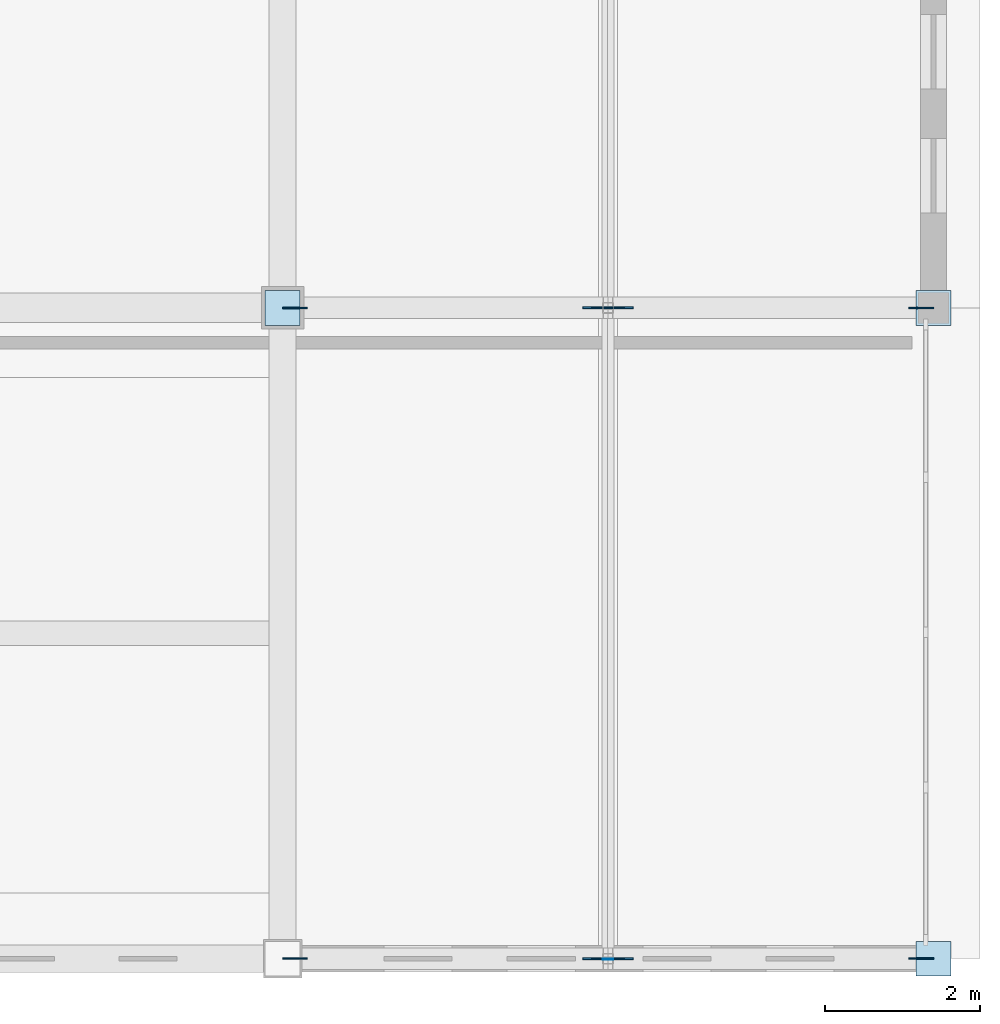
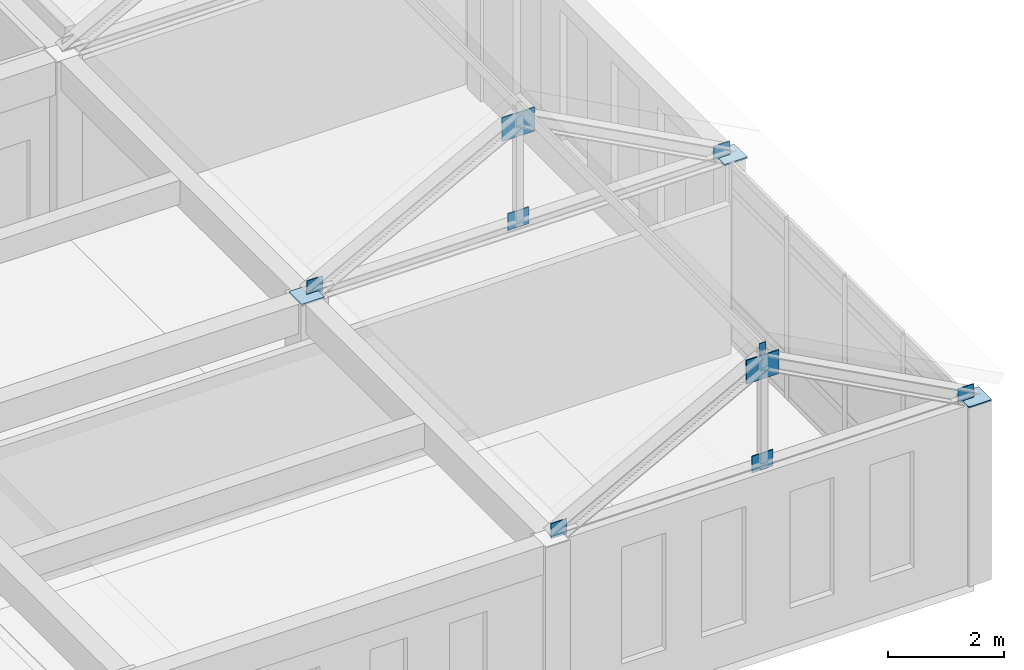
# One storey, part 23 of 36: 12 plates.
"""IFC4 building model written with IfcOpenShell, lengths in metres."""

from ifc_helpers import new_model, si_unit, direction, frame, origin, origin_2d, place, context, subcontext, project, spatial, rectangle, extrude, material, layer, layer_set, type_object, element, save


model = new_model("IFC4")

# Units and contexts
model_context = context("Model", 3, precision=1e-05, world=origin(), true_north=direction((0.0, 1.0)))
body_context = subcontext(model_context, "Body", "Model", "MODEL_VIEW")
ifc_project = project(units=[si_unit("LENGTHUNIT", "METRE"), si_unit("AREAUNIT", "SQUARE_METRE"), si_unit("VOLUMEUNIT", "CUBIC_METRE"), si_unit("PLANEANGLEUNIT", "RADIAN"), si_unit("MASSUNIT", "GRAM", prefix="KILO")], contexts=[model_context])

# Site, building, storey
site_placement = place(None, origin())
site = spatial("IfcSite", under=ifc_project, at=site_placement, CompositionType="ELEMENT")
building_placement = place(site_placement, origin())
building = spatial("IfcBuilding", under=site, at=building_placement, Name="Kveldsbrygga Polytechnic", CompositionType="ELEMENT")
storey_placement = place(building_placement, frame((0.0, 0.0, 22.10009765625)))
storey = spatial("IfcBuildingStorey", under=building, at=storey_placement, Name="L05", CompositionType="ELEMENT", Elevation=22.10009765625)

# Plates
ifc_material = material(Name="Steel S355", Category="steel")
ifc_layer_1 = layer(ifc_material, 0.030029296875)
ifc_layer_set_1 = layer_set([ifc_layer_1], Name="Steel S355")
plate_type_1 = type_object("IfcPlateType", Name="CAP-BEAR-450", PredefinedType="SHEET", material=ifc_layer_set_1)
for number, where, z_axis, x_axis, name in (
    (1, (168.0, 16.800048828125, 3.75), (0.0, 0.0, 1.0), (1.0, 0.0, 0.0), "Truss Bearing Plate V4E6-T01-B"),
    (2, (159.60009765625, 25.199951171875, 3.75), (0.0, 0.0, 1.0), (1.0, 0.0, 0.0), "Truss Bearing Plate V4E6-T02-A"),
    (3, (168.0, 25.199951171875, 3.75), (0.0, 0.0, 1.0), (1.0, 0.0, 0.0), "Truss Bearing Plate V4E6-T02-B"),
):
    element("IfcPlate", number, at=place(storey_placement, frame(where, z_axis=z_axis, x_axis=x_axis)), inside=storey, type_object=plate_type_1, Name=name, PredefinedType="SHEET", context=body_context, shape_type="SweptSolid", body=[
        extrude(rectangle(XDim=0.449951171875, YDim=0.449951171875, at=origin_2d()), origin(), (0.0, 0.0, 1.0), 0.030029296875),
    ])
ifc_layer_2 = layer(ifc_material, 0.011962890625)
ifc_layer_set_2 = layer_set([ifc_layer_2], Name="Steel S355")
plate_type_2 = type_object("IfcPlateType", Name="CAP-PRL-200", PredefinedType="SHEET", material=ifc_layer_set_2)
plate_placement = place(storey_placement, frame((163.800048828125, 16.7939453125, 6.15380859375), z_axis=(0.0, 0.0, 1.0), x_axis=(1.0, 0.0, 0.0)))
element("IfcPlate", 4, at=plate_placement, inside=storey, type_object=plate_type_2, Name="Purlin End Cap Plate V4E6-EP-A-1", PredefinedType="SHEET", context=body_context, shape_type="SweptSolid", body=[
    extrude(rectangle(XDim=0.139892578125, YDim=0.011962890625, at=origin_2d()), origin(), (0.0, 0.0, 1.0), 0.239990234375),
])
ifc_layer_3 = layer(ifc_material, 0.02490234375)
ifc_layer_set_3 = layer_set([ifc_layer_3], Name="Steel S355")
plate_type_3 = type_object("IfcPlateType", Name="GUS-APEX-650", PredefinedType="SHEET", material=ifc_layer_set_3)
for number, where, z_axis, x_axis, name in (
    (5, (163.800048828125, 16.800048828125, 5.6298828125), (0.0, 0.0, 1.0), (1.0, 0.0, 0.0), "Truss Gusset Plate V4E6-T01-GP-1"),
    (6, (163.800048828125, 25.199951171875, 5.6298828125), (0.0, 0.0, 1.0), (1.0, 0.0, 0.0), "Truss Gusset Plate V4E6-T02-GP-1"),
):
    element("IfcPlate", number, at=place(storey_placement, frame(where, z_axis=z_axis, x_axis=x_axis)), inside=storey, type_object=plate_type_3, Name=name, PredefinedType="SHEET", context=body_context, shape_type="SweptSolid", body=[
        extrude(rectangle(XDim=0.64990234375, YDim=0.02490234375, at=origin_2d()), origin(), (0.0, 0.0, 1.0), 0.5),
    ])
ifc_layer_4 = layer(ifc_material, 0.01806640625)
ifc_layer_set_4 = layer_set([ifc_layer_4], Name="Steel S355")
plate_type_4 = type_object("IfcPlateType", Name="GUS-BRACE-320", PredefinedType="SHEET", material=ifc_layer_set_4)
for number, where, z_axis, x_axis, name in (
    (7, (159.760009765625, 16.800048828125, 3.73974609375), (0.0, 0.0, 1.0), (1.0, 0.0, 0.0), "Truss Eaves Node Gusset V4E6-T01-EGP-A"),
    (8, (167.840087890625, 16.800048828125, 3.73974609375), (0.0, 0.0, 1.0), (1.0, 0.0, 0.0), "Truss Eaves Node Gusset V4E6-T01-EGP-B"),
    (9, (159.760009765625, 25.199951171875, 3.73974609375), (0.0, 0.0, 1.0), (1.0, 0.0, 0.0), "Truss Eaves Node Gusset V4E6-T02-EGP-A"),
    (10, (167.840087890625, 25.199951171875, 3.73974609375), (0.0, 0.0, 1.0), (1.0, 0.0, 0.0), "Truss Eaves Node Gusset V4E6-T02-EGP-B"),
):
    element("IfcPlate", number, at=place(storey_placement, frame(where, z_axis=z_axis, x_axis=x_axis)), inside=storey, type_object=plate_type_4, Name=name, PredefinedType="SHEET", context=body_context, shape_type="SweptSolid", body=[
        extrude(rectangle(XDim=0.320068359375, YDim=0.01806640625, at=origin_2d()), origin(), (0.0, 0.0, 1.0), 0.320068359375),
    ])
ifc_layer_5 = layer(ifc_material, 0.02001953125)
ifc_layer_set_5 = layer_set([ifc_layer_5], Name="Steel S355")
plate_type_5 = type_object("IfcPlateType", Name="GUS-LECT-420", PredefinedType="SHEET", material=ifc_layer_set_5)
for number, where, z_axis, x_axis, name in (
    (11, (163.800048828125, 16.800048828125, 3.724853515625), (0.0, 0.0, 1.0), (1.0, 0.0, 0.0), "Truss Bottom-Chord Node Gusset V4E6-T01-BGP-1"),
    (12, (163.800048828125, 25.199951171875, 3.724853515625), (0.0, 0.0, 1.0), (1.0, 0.0, 0.0), "Truss Bottom-Chord Node Gusset V4E6-T02-BGP-1"),
):
    element("IfcPlate", number, at=place(storey_placement, frame(where, z_axis=z_axis, x_axis=x_axis)), inside=storey, type_object=plate_type_5, Name=name, PredefinedType="SHEET", context=body_context, shape_type="SweptSolid", body=[
        extrude(rectangle(XDim=0.419921875, YDim=0.02001953125, at=origin_2d()), origin(), (0.0, 0.0, 1.0), 0.35009765625),
    ])

save(model, "model.ifc")
